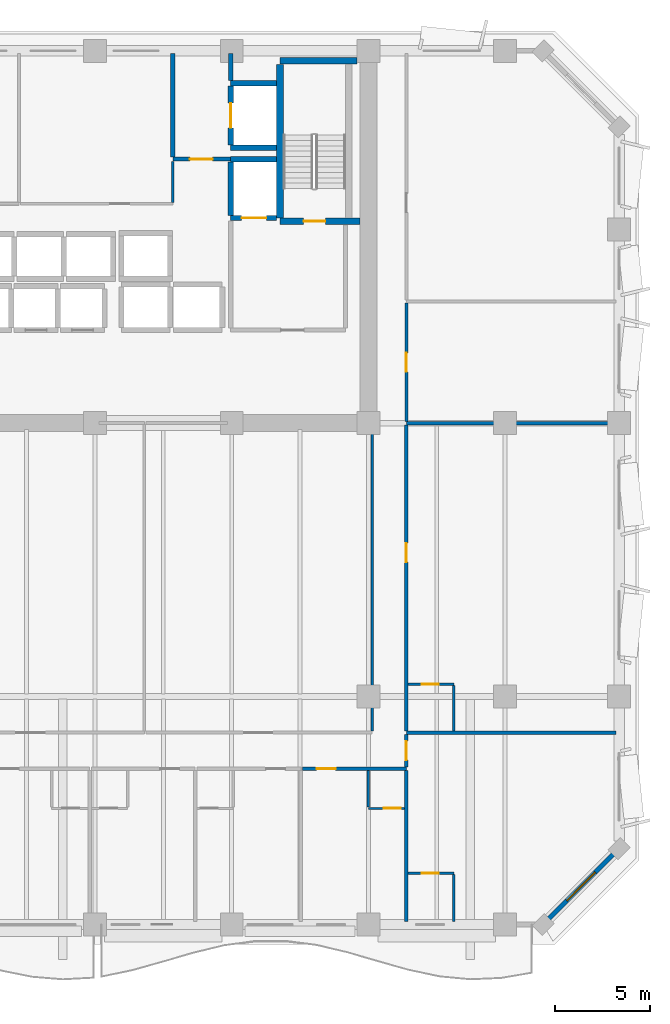
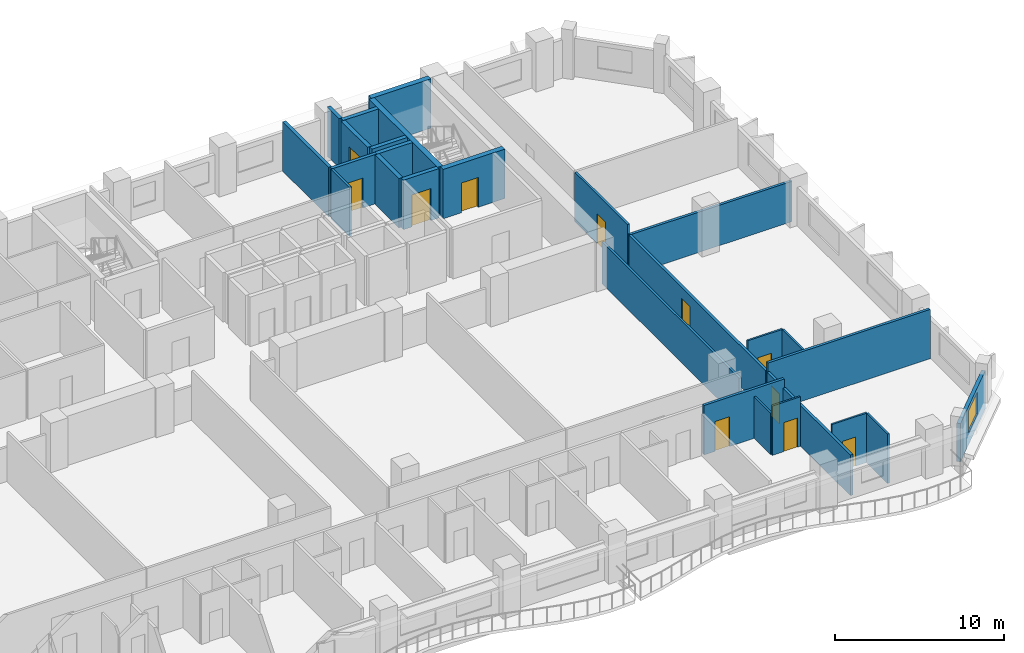
# One storey, part 9 of 15: 28 walls, 11 doors, 1 window, 12 openings.
"""IFC4 building model written with IfcOpenShell, lengths in metres."""

from ifc_helpers import new_model, si_unit, direction, frame, frame_2d, origin, place, context, subcontext, project, spatial, rectangle, extrude, material, layer, layer_set, type_object, element, fill, save


model = new_model("IFC4")

# Units and contexts
model_context = context("Model", 3, precision=1e-05, world=origin(), true_north=direction((0.0, 1.0)))
body_context = subcontext(model_context, "Body", "Model", "MODEL_VIEW")
ifc_project = project(units=[si_unit("LENGTHUNIT", "METRE"), si_unit("AREAUNIT", "SQUARE_METRE"), si_unit("VOLUMEUNIT", "CUBIC_METRE"), si_unit("PLANEANGLEUNIT", "RADIAN"), si_unit("MASSUNIT", "GRAM", prefix="KILO")], contexts=[model_context])

# Site, building, storey
site_placement = place(None, origin())
site = spatial("IfcSite", under=ifc_project, at=site_placement, CompositionType="ELEMENT")
building_placement = place(site_placement, origin())
building = spatial("IfcBuilding", under=site, at=building_placement, Name="Kaelvorn Grand Hotel", CompositionType="ELEMENT")
storey_placement = place(building_placement, frame((0.0, 0.0, 146.75)))
storey = spatial("IfcBuildingStorey", under=building, at=storey_placement, Name="L35", CompositionType="ELEMENT", Elevation=146.75)

# Wall, opening, window
ifc_material_1 = material(Name="Concrete C40/50", Category="concrete")
ifc_layer_1 = layer(ifc_material_1, 0.239990234375)
ifc_layer_set_1 = layer_set([ifc_layer_1], Name="Concrete C40/50")
wall_type_1 = type_object("IfcWallType", Name="WL-EXT-240-C40", PredefinedType="SOLIDWALL", material=ifc_layer_set_1)
wall_1_placement = place(storey_placement, frame((77.0, 3.0, 0.0), z_axis=(0.0, 0.0, 1.0), x_axis=(0.707106781187, 0.707106781187, 0.0)))
wall_1 = element("IfcWall", 1, at=wall_1_placement, inside=storey, type_object=wall_type_1, Name="L35 Exterior Architectural Concrete Wall 02", PredefinedType="SOLIDWALL", context=body_context, shape_type="SweptSolid", body=[
    extrude(rectangle(XDim=5.65673828125, YDim=0.239990234375, at=frame_2d((2.828369140625, 0.0))), origin(), (0.0, 0.0, 1.0), 2.760009765625),
])
opening_1_placement = place(wall_1_placement, frame((1.7783203125, 0.0, 0.85009765625)))
opening_1 = element("IfcOpeningElement", 2, at=opening_1_placement, cuts=wall_1, Name="Opening W7", PredefinedType="OPENING", context=body_context, shape_type="SweptSolid", body=[
    extrude(rectangle(XDim=2.10009765625, YDim=1.60009765625, at=frame_2d((1.050048828125, 0.800048828125))), frame((0.0, 0.1298828125, 0.0), z_axis=(0.0, -1.0, 0.0), x_axis=(1.0, 0.0, 0.0)), (0.0, 0.0, 1.0), 0.260009765625),
])
ifc_material_2 = material(Name="Laminated Low-E Glass", Category="glass")
window_type = type_object("IfcWindowType", Name="WIN-CHM-2100x1600", PartitioningType="SINGLE_PANEL", PredefinedType="WINDOW", material=ifc_material_2)
window_placement = place(opening_1_placement, origin())
window = element("IfcWindow", 3, at=window_placement, inside=storey, type_object=window_type, Name="L35 Chamfered 45-Degree Corner Window SE", OverallHeight=1.60009765625, OverallWidth=2.10009765625, PartitioningType="SINGLE_PANEL", PredefinedType="WINDOW", context=body_context, shape_type="SweptSolid", body=[
    extrude(rectangle(XDim=2.10009765625, YDim=1.60009765625, at=frame_2d((1.050048828125, 0.800048828125))), frame((0.0, 0.030029296875, 0.0), z_axis=(0.0, -1.0, 0.0), x_axis=(1.0, 0.0, 0.0)), (0.0, 0.0, 1.0), 0.06005859375),
])
fill(opening_1, window)

# Wall, opening, door
ifc_material_3 = material(Name="Moisture-Resistant Tile & Stud Board")
ifc_layer_2 = layer(ifc_material_3, 0.125)
ifc_layer_set_2 = layer_set([ifc_layer_2], Name="Moisture-Resistant Tile & Stud Board")
wall_type_2 = type_object("IfcWallType", Name="WL-PART-125-WET", PredefinedType="PARTITIONING", material=ifc_layer_set_2)
wall_2_placement = place(storey_placement, frame((67.800048828125, 9.110107421875, 0.0), z_axis=(0.0, 0.0, 1.0), x_axis=(1.0, 0.0, 0.0)))
wall_2 = element("IfcWall", 4, at=wall_2_placement, inside=storey, type_object=wall_type_2, Name="L35 En-suite Bathroom L35-10 S Partition", PredefinedType="PARTITIONING", context=body_context, shape_type="SweptSolid", body=[
    extrude(rectangle(XDim=1.905029296875, YDim=0.125, at=frame_2d((0.95263671875, 0.0))), origin(), (0.0, 0.0, 1.0), 3.56005859375),
])
opening_2_placement = place(wall_2_placement, frame((0.800048828125, 0.0, 0.0)))
opening_2 = element("IfcOpeningElement", 5, at=opening_2_placement, cuts=wall_2, Name="Opening DI4", PredefinedType="OPENING", context=body_context, shape_type="SweptSolid", body=[
    extrude(rectangle(XDim=0.89990234375, YDim=2.10009765625, at=frame_2d((0.449951171875, 1.050048828125))), frame((0.0, 0.072509765625, 0.0), z_axis=(0.0, -1.0, 0.0), x_axis=(1.0, 0.0, 0.0)), (0.0, 0.0, 1.0), 0.14501953125),
])
ifc_material_4 = material(Name="Timber Veneer Leaf", Category="wood")
door_type_1 = type_object("IfcDoorType", Name="DR-INT-BATH-900x2100", OperationType="NOTDEFINED", PredefinedType="DOOR", material=ifc_material_4)
door_1_placement = place(opening_2_placement, origin())
door_1 = element("IfcDoor", 6, at=door_1_placement, inside=storey, type_object=door_type_1, Name="L35 En-suite Bathroom L35-10 Door", OperationType="SINGLE_SWING_RIGHT", OverallHeight=2.10009765625, OverallWidth=0.89990234375, PredefinedType="DOOR", context=body_context, shape_type="SweptSolid", body=[
    extrude(rectangle(XDim=0.89990234375, YDim=2.10009765625, at=frame_2d((0.449951171875, 1.050048828125))), frame((0.0, 0.02490234375, 0.0), z_axis=(0.0, -1.0, 0.0), x_axis=(1.0, 0.0, 0.0)), (0.0, 0.0, 1.0), 0.050048828125),
])
fill(opening_2, door_1)

# Wall
wall_3_placement = place(storey_placement, frame((67.800048828125, 9.177490234375, 0.0), z_axis=(0.0, 0.0, 1.0), x_axis=(0.0, 1.0, 0.0)))
element("IfcWall", 7, at=wall_3_placement, inside=storey, type_object=wall_type_2, Name="L35 En-suite Bathroom L35-10 W Partition", PredefinedType="PARTITIONING", context=body_context, shape_type="SweptSolid", body=[
    extrude(rectangle(XDim=1.927490234375, YDim=0.125, at=frame_2d((0.9638671875, 0.0))), origin(), (0.0, 0.0, 1.0), 3.010009765625),
])

# Wall, opening, door
wall_4_placement = place(storey_placement, frame((69.89501953125, 5.699951171875, 0.0), z_axis=(0.0, 0.0, 1.0), x_axis=(1.0, 0.0, 0.0)))
wall_4 = element("IfcWall", 8, at=wall_4_placement, inside=storey, type_object=wall_type_2, Name="L35 En-suite Bathroom L35-13 N Partition", PredefinedType="PARTITIONING", context=body_context, shape_type="SweptSolid", body=[
    extrude(rectangle(XDim=2.405029296875, YDim=0.125, at=frame_2d((1.20263671875, 0.0))), origin(), (0.0, 0.0, 1.0), 3.56005859375),
])
opening_3_placement = place(wall_4_placement, frame((0.705078125, 0.0, 0.0)))
opening_3 = element("IfcOpeningElement", 9, at=opening_3_placement, cuts=wall_4, Name="Opening DI4", PredefinedType="OPENING", context=body_context, shape_type="SweptSolid", body=[
    extrude(rectangle(XDim=0.89990234375, YDim=2.10009765625, at=frame_2d((0.449951171875, 1.050048828125))), frame((0.0, 0.072509765625, 0.0), z_axis=(0.0, -1.0, 0.0), x_axis=(1.0, 0.0, 0.0)), (0.0, 0.0, 1.0), 0.14501953125),
])
door_2_placement = place(opening_3_placement, origin())
door_2 = element("IfcDoor", 10, at=door_2_placement, inside=storey, type_object=door_type_1, Name="L35 En-suite Bathroom L35-13 Door", OperationType="SINGLE_SWING_RIGHT", OverallHeight=2.10009765625, OverallWidth=0.89990234375, PredefinedType="DOOR", context=body_context, shape_type="SweptSolid", body=[
    extrude(rectangle(XDim=0.89990234375, YDim=2.10009765625, at=frame_2d((0.449951171875, 1.050048828125))), frame((0.0, 0.02490234375, 0.0), z_axis=(0.0, -1.0, 0.0), x_axis=(1.0, 0.0, 0.0)), (0.0, 0.0, 1.0), 0.050048828125),
])
fill(opening_3, door_2)

# Wall
wall_5_placement = place(storey_placement, frame((72.300048828125, 3.14990234375, 0.0), z_axis=(0.0, 0.0, 1.0), x_axis=(0.0, 1.0, 0.0)))
element("IfcWall", 11, at=wall_5_placement, inside=storey, type_object=wall_type_2, Name="L35 En-suite Bathroom L35-13 E Partition", PredefinedType="PARTITIONING", context=body_context, shape_type="SweptSolid", body=[
    extrude(rectangle(XDim=2.482666015625, YDim=0.125, at=frame_2d((1.2412109375, 0.0))), origin(), (0.0, 0.0, 1.0), 3.56005859375),
])

# Wall, opening, door
wall_6_placement = place(storey_placement, frame((69.89501953125, 15.64990234375, 0.0), z_axis=(0.0, 0.0, 1.0), x_axis=(1.0, 0.0, 0.0)))
wall_6 = element("IfcWall", 12, at=wall_6_placement, inside=storey, type_object=wall_type_2, Name="L35 En-suite Bathroom L35-14 N Partition", PredefinedType="PARTITIONING", context=body_context, shape_type="SweptSolid", body=[
    extrude(rectangle(XDim=2.405029296875, YDim=0.125, at=frame_2d((1.20263671875, 0.0))), origin(), (0.0, 0.0, 1.0), 3.56005859375),
])
opening_4_placement = place(wall_6_placement, frame((0.705078125, 0.0, 0.0)))
opening_4 = element("IfcOpeningElement", 13, at=opening_4_placement, cuts=wall_6, Name="Opening DI4", PredefinedType="OPENING", context=body_context, shape_type="SweptSolid", body=[
    extrude(rectangle(XDim=0.89990234375, YDim=2.10009765625, at=frame_2d((0.449951171875, 1.050048828125))), frame((0.0, 0.072509765625, 0.0), z_axis=(0.0, -1.0, 0.0), x_axis=(1.0, 0.0, 0.0)), (0.0, 0.0, 1.0), 0.14501953125),
])
door_3_placement = place(opening_4_placement, origin())
door_3 = element("IfcDoor", 14, at=door_3_placement, inside=storey, type_object=door_type_1, Name="L35 En-suite Bathroom L35-14 Door", OperationType="SINGLE_SWING_RIGHT", OverallHeight=2.10009765625, OverallWidth=0.89990234375, PredefinedType="DOOR", context=body_context, shape_type="SweptSolid", body=[
    extrude(rectangle(XDim=0.89990234375, YDim=2.10009765625, at=frame_2d((0.449951171875, 1.050048828125))), frame((0.0, 0.02490234375, 0.0), z_axis=(0.0, -1.0, 0.0), x_axis=(1.0, 0.0, 0.0)), (0.0, 0.0, 1.0), 0.050048828125),
])
fill(opening_4, door_3)

# Walls
wall_7_placement = place(storey_placement, frame((72.300048828125, 13.195068359375, 0.0), z_axis=(0.0, 0.0, 1.0), x_axis=(0.0, 1.0, 0.0)))
element("IfcWall", 15, at=wall_7_placement, inside=storey, type_object=wall_type_2, Name="L35 En-suite Bathroom L35-14 E Partition", PredefinedType="PARTITIONING", context=body_context, shape_type="SweptSolid", body=[
    extrude(rectangle(XDim=2.387451171875, YDim=0.125, at=frame_2d((1.19384765625, 0.0))), origin(), (0.0, 0.0, 1.0), 3.56005859375),
])
ifc_material_5 = material(Name="Acoustic Gypsum & Stud Partition")
ifc_layer_3 = layer(ifc_material_5, 0.14990234375)
ifc_layer_set_3 = layer_set([ifc_layer_3], Name="Acoustic Gypsum & Stud Partition")
wall_type_3 = type_object("IfcWallType", Name="WL-PART-150-EI60", PredefinedType="PARTITIONING", material=ifc_layer_set_3)
wall_8_placement = place(storey_placement, frame((57.5, 41.030029296875, 0.0), z_axis=(0.0, 0.0, 1.0), x_axis=(0.0, 1.0, 0.0)))
element("IfcWall", 16, at=wall_8_placement, inside=storey, type_object=wall_type_3, Name="L35 Butler Servery Pantry E Partition", PredefinedType="PARTITIONING", context=body_context, shape_type="SweptSolid", body=[
    extrude(rectangle(XDim=2.155029296875, YDim=0.14990234375, at=frame_2d((1.07763671875, 0.0))), origin(), (0.0, 0.0, 1.0), 3.56005859375),
])
wall_9_placement = place(storey_placement, frame((68.0, 13.179931640625, 0.0), z_axis=(0.0, 0.0, 1.0), x_axis=(0.0, 1.0, 0.0)))
element("IfcWall", 17, at=wall_9_placement, inside=storey, type_object=wall_type_3, Name="L35 Wellness Fitness Gym E Partition", PredefinedType="PARTITIONING", context=body_context, shape_type="SweptSolid", body=[
    extrude(rectangle(XDim=16.2099609375, YDim=0.14990234375, at=frame_2d((8.10498046875, 0.0))), origin(), (0.0, 0.0, 1.0), 3.010009765625),
])

# Wall, opening, door
wall_10_placement = place(storey_placement, frame((69.800048828125, 29.4951171875, 0.0), z_axis=(0.0, 0.0, 1.0), x_axis=(0.0, 1.0, 0.0)))
wall_10 = element("IfcWall", 18, at=wall_10_placement, inside=storey, type_object=wall_type_3, Name="L35 North-East Wellness Fitness Gym W Partition", PredefinedType="PARTITIONING", context=body_context, shape_type="SweptSolid", body=[
    extrude(rectangle(XDim=6.224853515625, YDim=0.14990234375, at=frame_2d((3.1123046875, 0.0))), origin(), (0.0, 0.0, 1.0), 3.56005859375),
])
opening_5_placement = place(wall_10_placement, frame((2.60498046875, 0.0, 0.0)))
opening_5 = element("IfcOpeningElement", 19, at=opening_5_placement, cuts=wall_10, Name="Opening DI3", PredefinedType="OPENING", context=body_context, shape_type="SweptSolid", body=[
    extrude(rectangle(XDim=1.0, YDim=2.14990234375, at=frame_2d((0.5, 1.074951171875))), frame((0.0, 0.0849609375, 0.0), z_axis=(0.0, -1.0, 0.0), x_axis=(1.0, 0.0, 0.0)), (0.0, 0.0, 1.0), 0.169921875),
])
ifc_material_6 = material(Name="Timber Veneer Fire Leaf", Category="wood")
door_type_2 = type_object("IfcDoorType", Name="DR-INT-GUEST-1000x2150", OperationType="NOTDEFINED", PredefinedType="DOOR", material=ifc_material_6)
door_4_placement = place(opening_5_placement, origin())
door_4 = element("IfcDoor", 20, at=door_4_placement, inside=storey, type_object=door_type_2, Name="L35 North-East Wellness Fitness Gym Door", OperationType="SINGLE_SWING_LEFT", OverallHeight=2.14990234375, OverallWidth=1.0, PredefinedType="DOOR", context=body_context, shape_type="SweptSolid", body=[
    extrude(rectangle(XDim=1.0, YDim=2.14990234375, at=frame_2d((0.5, 1.074951171875))), frame((0.0, 0.02490234375, 0.0), z_axis=(0.0, -1.0, 0.0), x_axis=(1.0, 0.0, 0.0)), (0.0, 0.0, 1.0), 0.050048828125),
])
fill(opening_5, door_4)

ifc_layer_4 = layer(ifc_material_5, 0.179931640625)
ifc_layer_set_4 = layer_set([ifc_layer_4], Name="Acoustic Gypsum & Stud Partition")
wall_type_4 = type_object("IfcWallType", Name="WL-PART-180-EI60", PredefinedType="PARTITIONING", material=ifc_layer_set_4)
wall_11_placement = place(storey_placement, frame((64.3349609375, 11.199951171875, 0.0), z_axis=(0.0, 0.0, 1.0), x_axis=(1.0, 0.0, 0.0)))
wall_11 = element("IfcWall", 21, at=wall_11_placement, inside=storey, type_object=wall_type_4, Name="L35 Superior King Guest Room L35-10 N Partition", PredefinedType="PARTITIONING", context=body_context, shape_type="SweptSolid", body=[
    extrude(rectangle(XDim=5.465087890625, YDim=0.179931640625, at=frame_2d((2.732421875, 0.0))), origin(), (0.0, 0.0, 1.0), 3.56005859375),
])
opening_6_placement = place(wall_11_placement, frame((0.735107421875, 0.0, 0.0)))
opening_6 = element("IfcOpeningElement", 22, at=opening_6_placement, cuts=wall_11, Name="Opening DI3", PredefinedType="OPENING", context=body_context, shape_type="SweptSolid", body=[
    extrude(rectangle(XDim=1.0, YDim=2.14990234375, at=frame_2d((0.5, 1.074951171875))), frame((0.0, 0.10009765625, 0.0), z_axis=(0.0, -1.0, 0.0), x_axis=(1.0, 0.0, 0.0)), (0.0, 0.0, 1.0), 0.199951171875),
])
door_5_placement = place(opening_6_placement, origin())
door_5 = element("IfcDoor", 23, at=door_5_placement, inside=storey, type_object=door_type_2, Name="L35 Superior King Guest Room L35-10 Door", OperationType="SINGLE_SWING_LEFT", OverallHeight=2.14990234375, OverallWidth=1.0, PredefinedType="DOOR", context=body_context, shape_type="SweptSolid", body=[
    extrude(rectangle(XDim=1.0, YDim=2.14990234375, at=frame_2d((0.5, 1.074951171875))), frame((0.0, 0.02490234375, 0.0), z_axis=(0.0, -1.0, 0.0), x_axis=(1.0, 0.0, 0.0)), (0.0, 0.0, 1.0), 0.050048828125),
])
fill(opening_6, door_5)

# Walls
wall_12_placement = place(storey_placement, frame((69.800048828125, 3.14990234375, 0.0), z_axis=(0.0, 0.0, 1.0), x_axis=(0.0, 1.0, 0.0)))
element("IfcWall", 24, at=wall_12_placement, inside=storey, type_object=wall_type_4, Name="L35 Superior King Guest Room L35-10 E Partition", PredefinedType="PARTITIONING", context=body_context, shape_type="SweptSolid", body=[
    extrude(rectangle(XDim=7.955078125, YDim=0.179931640625, at=frame_2d((3.9775390625, 0.0))), origin(), (0.0, 0.0, 1.0), 2.929931640625),
])
wall_13_placement = place(storey_placement, frame((69.800048828125, 13.10009765625, 0.0), z_axis=(0.0, 0.0, 1.0), x_axis=(1.0, 0.0, 0.0)))
element("IfcWall", 25, at=wall_13_placement, inside=storey, type_object=wall_type_4, Name="L35 South-East Chamfer Suite L35-13 N Partition", PredefinedType="PARTITIONING", context=body_context, shape_type="SweptSolid", body=[
    extrude(rectangle(XDim=11.050048828125, YDim=0.179931640625, at=frame_2d((5.52490234375, 0.0))), origin(), (0.0, 0.0, 1.0), 3.56005859375),
])

# Wall, opening, door
wall_14_placement = place(storey_placement, frame((69.800048828125, 11.294921875, 0.0), z_axis=(0.0, 0.0, 1.0), x_axis=(0.0, 1.0, 0.0)))
wall_14 = element("IfcWall", 26, at=wall_14_placement, inside=storey, type_object=wall_type_4, Name="L35 South-East Chamfer Suite L35-13 W Partition", PredefinedType="PARTITIONING", context=body_context, shape_type="SweptSolid", body=[
    extrude(rectangle(XDim=1.7099609375, YDim=0.179931640625, at=frame_2d((0.85498046875, 0.0))), origin(), (0.0, 0.0, 1.0), 2.929931640625),
])
opening_7_placement = place(wall_14_placement, frame((0.35498046875, 0.0, 0.0)))
opening_7 = element("IfcOpeningElement", 27, at=opening_7_placement, cuts=wall_14, Name="Opening DI3", PredefinedType="OPENING", context=body_context, shape_type="SweptSolid", body=[
    extrude(rectangle(XDim=1.0, YDim=2.14990234375, at=frame_2d((0.5, 1.074951171875))), frame((0.0, 0.10009765625, 0.0), z_axis=(0.0, -1.0, 0.0), x_axis=(1.0, 0.0, 0.0)), (0.0, 0.0, 1.0), 0.199951171875),
])
door_6_placement = place(opening_7_placement, origin())
door_6 = element("IfcDoor", 28, at=door_6_placement, inside=storey, type_object=door_type_2, Name="L35 South-East Chamfer Suite L35-13 Door", OperationType="SINGLE_SWING_LEFT", OverallHeight=2.14990234375, OverallWidth=1.0, PredefinedType="DOOR", context=body_context, shape_type="SweptSolid", body=[
    extrude(rectangle(XDim=1.0, YDim=2.14990234375, at=frame_2d((0.5, 1.074951171875))), frame((0.0, 0.02490234375, 0.0), z_axis=(0.0, -1.0, 0.0), x_axis=(1.0, 0.0, 0.0)), (0.0, 0.0, 1.0), 0.050048828125),
])
fill(opening_7, door_6)

# Wall
wall_15_placement = place(storey_placement, frame((69.800048828125, 29.39990234375, 0.0), z_axis=(0.0, 0.0, 1.0), x_axis=(1.0, 0.0, 0.0)))
element("IfcWall", 29, at=wall_15_placement, inside=storey, type_object=wall_type_4, Name="L35 East End Panoramic Suite L35-14 N Partition", PredefinedType="PARTITIONING", context=body_context, shape_type="SweptSolid", body=[
    extrude(rectangle(XDim=11.050048828125, YDim=0.179931640625, at=frame_2d((5.52490234375, 0.0))), origin(), (0.0, 0.0, 1.0), 2.909912109375),
])

# Wall, opening, door
wall_16_placement = place(storey_placement, frame((69.800048828125, 13.195068359375, 0.0), z_axis=(0.0, 0.0, 1.0), x_axis=(0.0, 1.0, 0.0)))
wall_16 = element("IfcWall", 30, at=wall_16_placement, inside=storey, type_object=wall_type_4, Name="L35 East End Panoramic Suite L35-14 W Partition", PredefinedType="PARTITIONING", context=body_context, shape_type="SweptSolid", body=[
    extrude(rectangle(XDim=16.10986328125, YDim=0.179931640625, at=frame_2d((8.054931640625, 0.0))), origin(), (0.0, 0.0, 1.0), 2.929931640625),
])
opening_8_placement = place(wall_16_placement, frame((8.889892578125, 0.0, 0.0)))
opening_8 = element("IfcOpeningElement", 31, at=opening_8_placement, cuts=wall_16, Name="Opening DI3", PredefinedType="OPENING", context=body_context, shape_type="SweptSolid", body=[
    extrude(rectangle(XDim=1.0, YDim=2.14990234375, at=frame_2d((0.5, 1.074951171875))), frame((0.0, 0.10009765625, 0.0), z_axis=(0.0, -1.0, 0.0), x_axis=(1.0, 0.0, 0.0)), (0.0, 0.0, 1.0), 0.199951171875),
])
door_7_placement = place(opening_8_placement, origin())
door_7 = element("IfcDoor", 32, at=door_7_placement, inside=storey, type_object=door_type_2, Name="L35 East End Panoramic Suite L35-14 Door", OperationType="SINGLE_SWING_LEFT", OverallHeight=2.14990234375, OverallWidth=1.0, PredefinedType="DOOR", context=body_context, shape_type="SweptSolid", body=[
    extrude(rectangle(XDim=1.0, YDim=2.14990234375, at=frame_2d((0.5, 1.074951171875))), frame((0.0, 0.02490234375, 0.0), z_axis=(0.0, -1.0, 0.0), x_axis=(1.0, 0.0, 0.0)), (0.0, 0.0, 1.0), 0.050048828125),
])
fill(opening_8, door_7)

ifc_layer_5 = layer(ifc_material_1, 0.219970703125)
ifc_layer_set_5 = layer_set([ifc_layer_5], Name="Concrete C40/50")
wall_type_5 = type_object("IfcWallType", Name="WL-PART-220-EI120", PredefinedType="PARTITIONING", material=ifc_layer_set_5)
wall_17_placement = place(storey_placement, frame((57.5, 43.300048828125, 0.0), z_axis=(0.0, 0.0, 1.0), x_axis=(1.0, 0.0, 0.0)))
wall_17 = element("IfcWall", 33, at=wall_17_placement, inside=storey, type_object=wall_type_5, Name="L35 Service Lift Lobby S Partition", PredefinedType="PARTITIONING", context=body_context, shape_type="SweptSolid", body=[
    extrude(rectangle(XDim=3.0400390625, YDim=0.219970703125, at=frame_2d((1.52001953125, 0.0))), origin(), (0.0, 0.0, 1.0), 3.56005859375),
])
opening_9_placement = place(wall_17_placement, frame((0.89990234375, 0.0, 0.0)))
opening_9 = element("IfcOpeningElement", 34, at=opening_9_placement, cuts=wall_17, Name="Opening DI2", PredefinedType="OPENING", context=body_context, shape_type="SweptSolid", body=[
    extrude(rectangle(XDim=1.199951171875, YDim=2.14990234375, at=frame_2d((0.60009765625, 1.074951171875))), frame((0.0, 0.1201171875, 0.0), z_axis=(0.0, -1.0, 0.0), x_axis=(1.0, 0.0, 0.0)), (0.0, 0.0, 1.0), 0.239990234375),
])
door_type_3 = type_object("IfcDoorType", Name="DR-INT-FFLOB-1200x2150", OperationType="NOTDEFINED", PredefinedType="DOOR", material=ifc_material_6)
door_8_placement = place(opening_9_placement, origin())
door_8 = element("IfcDoor", 35, at=door_8_placement, inside=storey, type_object=door_type_3, Name="L35 Service Lift Lobby Door", OperationType="SINGLE_SWING_LEFT", OverallHeight=2.14990234375, OverallWidth=1.199951171875, PredefinedType="DOOR", context=body_context, shape_type="SweptSolid", body=[
    extrude(rectangle(XDim=1.199951171875, YDim=2.14990234375, at=frame_2d((0.60009765625, 1.074951171875))), frame((0.0, 0.02490234375, 0.0), z_axis=(0.0, -1.0, 0.0), x_axis=(1.0, 0.0, 0.0)), (0.0, 0.0, 1.0), 0.050048828125),
])
fill(opening_9, door_8)

# Walls
wall_18_placement = place(storey_placement, frame((57.5, 43.4150390625, 0.0), z_axis=(0.0, 0.0, 1.0), x_axis=(0.0, 1.0, 0.0)))
element("IfcWall", 36, at=wall_18_placement, inside=storey, type_object=wall_type_5, Name="L35 Service Lift Lobby W Partition", PredefinedType="PARTITIONING", context=body_context, shape_type="SweptSolid", body=[
    extrude(rectangle(XDim=5.43505859375, YDim=0.219970703125, at=frame_2d((2.717529296875, 0.0))), origin(), (0.0, 0.0, 1.0), 3.56005859375),
])
wall_19_placement = place(storey_placement, frame((60.550048828125, 47.445068359375, 0.0), z_axis=(0.0, 0.0, 1.0), x_axis=(0.0, 1.0, 0.0)))
element("IfcWall", 37, at=wall_19_placement, inside=storey, type_object=wall_type_5, Name="L35 Service Lift Lobby E Partition", PredefinedType="PARTITIONING", context=body_context, shape_type="SweptSolid", body=[
    extrude(rectangle(XDim=1.405029296875, YDim=0.219970703125, at=frame_2d((0.70263671875, 0.0))), origin(), (0.0, 0.0, 1.0), 3.56005859375),
])

# Wall, opening, door
ifc_material_7 = material(Name="Concrete C50/60", Category="concrete")
ifc_layer_6 = layer(ifc_material_7, 0.280029296875)
ifc_layer_set_6 = layer_set([ifc_layer_6], Name="Concrete C50/60")
wall_type_6 = type_object("IfcWallType", Name="WL-SHAFT-280-C50", PredefinedType="SHEAR", material=ifc_layer_set_6)
wall_20_placement = place(storey_placement, frame((60.550048828125, 40.199951171875, 0.0), z_axis=(0.0, 0.0, 1.0), x_axis=(1.0, 0.0, 0.0)))
wall_20 = element("IfcWall", 38, at=wall_20_placement, inside=storey, type_object=wall_type_6, Name="L35 Lift FFL2 Shaft South Wall", PredefinedType="SHEAR", context=body_context, shape_type="SweptSolid", body=[
    extrude(rectangle(XDim=2.4150390625, YDim=0.280029296875, at=frame_2d((1.20751953125, 0.0))), origin(), (0.0, 0.0, 1.0), 3.56005859375),
])
opening_10_placement = place(wall_20_placement, frame((0.574951171875, 0.0, 0.0)))
opening_10 = element("IfcOpeningElement", 39, at=opening_10_placement, cuts=wall_20, Name="Opening LD-FFL2", PredefinedType="OPENING", context=body_context, shape_type="SweptSolid", body=[
    extrude(rectangle(XDim=1.300048828125, YDim=2.300048828125, at=frame_2d((0.64990234375, 1.14990234375))), frame((0.0, 0.14990234375, 0.0), z_axis=(0.0, -1.0, 0.0), x_axis=(1.0, 0.0, 0.0)), (0.0, 0.0, 1.0), 0.300048828125),
])
ifc_material_8 = material(Name="Stainless Steel", Category="steel")
door_type_4 = type_object("IfcDoorType", Name="DR-LIFT-SERV-1300x2300", OperationType="DOUBLE_DOOR_SLIDING", PredefinedType="DOOR", material=ifc_material_8)
door_9_placement = place(opening_10_placement, origin())
door_9 = element("IfcDoor", 40, at=door_9_placement, inside=storey, type_object=door_type_4, Name="L35 Lift FFL2 Sliding Landing Door LD-FFL2", OperationType="DOUBLE_DOOR_SLIDING", OverallHeight=2.300048828125, OverallWidth=1.300048828125, PredefinedType="DOOR", context=body_context, shape_type="SweptSolid", body=[
    extrude(rectangle(XDim=1.300048828125, YDim=2.300048828125, at=frame_2d((0.64990234375, 1.14990234375))), frame((0.0, 0.02490234375, 0.0), z_axis=(0.0, -1.0, 0.0), x_axis=(1.0, 0.0, 0.0)), (0.0, 0.0, 1.0), 0.050048828125),
])
fill(opening_10, door_9)

# Walls
wall_21_placement = place(storey_placement, frame((60.550048828125, 43.300048828125, 0.0), z_axis=(0.0, 0.0, 1.0), x_axis=(1.0, 0.0, 0.0)))
element("IfcWall", 41, at=wall_21_placement, inside=storey, type_object=wall_type_6, Name="L35 Lift FFL2 Shaft North Wall", PredefinedType="SHEAR", context=body_context, shape_type="SweptSolid", body=[
    extrude(rectangle(XDim=2.4150390625, YDim=0.280029296875, at=frame_2d((1.20751953125, 0.0))), origin(), (0.0, 0.0, 1.0), 3.56005859375),
])
wall_22_placement = place(storey_placement, frame((60.550048828125, 40.344970703125, 0.0), z_axis=(0.0, 0.0, 1.0), x_axis=(0.0, 1.0, 0.0)))
element("IfcWall", 42, at=wall_22_placement, inside=storey, type_object=wall_type_6, Name="L35 Lift FFL2 Shaft West Wall", PredefinedType="SHEAR", context=body_context, shape_type="SweptSolid", body=[
    extrude(rectangle(XDim=2.81005859375, YDim=0.280029296875, at=frame_2d((1.405029296875, 0.0))), origin(), (0.0, 0.0, 1.0), 3.56005859375),
])
for number, where, z_axis, x_axis, name in (
    (43, (60.550048828125, 43.89990234375, 0.0), (0.0, 0.0, 1.0), (1.0, 0.0, 0.0), "L35 Lift SV1 Shaft South Wall"),
    (44, (60.550048828125, 47.300048828125, 0.0), (0.0, 0.0, 1.0), (1.0, 0.0, 0.0), "L35 Lift SV1 Shaft North Wall"),
):
    element("IfcWall", number, at=place(storey_placement, frame(where, z_axis=z_axis, x_axis=x_axis)), inside=storey, type_object=wall_type_6, Name=name, PredefinedType="SHEAR", context=body_context, shape_type="SweptSolid", body=[
        extrude(rectangle(XDim=2.4150390625, YDim=0.280029296875, at=frame_2d((1.20751953125, 0.0))), origin(), (0.0, 0.0, 1.0), 3.56005859375),
    ])

# Wall, opening, door
wall_23_placement = place(storey_placement, frame((60.550048828125, 44.044921875, 0.0), z_axis=(0.0, 0.0, 1.0), x_axis=(0.0, 1.0, 0.0)))
wall_23 = element("IfcWall", 45, at=wall_23_placement, inside=storey, type_object=wall_type_6, Name="L35 Lift SV1 Shaft West Wall", PredefinedType="SHEAR", context=body_context, shape_type="SweptSolid", body=[
    extrude(rectangle(XDim=3.110107421875, YDim=0.280029296875, at=frame_2d((1.55517578125, 0.0))), origin(), (0.0, 0.0, 1.0), 3.56005859375),
])
opening_11_placement = place(wall_23_placement, frame((0.905029296875, 0.0, 0.0)))
opening_11 = element("IfcOpeningElement", 46, at=opening_11_placement, cuts=wall_23, Name="Opening LD-SV1", PredefinedType="OPENING", context=body_context, shape_type="SweptSolid", body=[
    extrude(rectangle(XDim=1.300048828125, YDim=2.300048828125, at=frame_2d((0.64990234375, 1.14990234375))), frame((0.0, 0.14990234375, 0.0), z_axis=(0.0, -1.0, 0.0), x_axis=(1.0, 0.0, 0.0)), (0.0, 0.0, 1.0), 0.300048828125),
])
door_10_placement = place(opening_11_placement, origin())
door_10 = element("IfcDoor", 47, at=door_10_placement, inside=storey, type_object=door_type_4, Name="L35 Lift SV1 Sliding Landing Door LD-SV1", OperationType="DOUBLE_DOOR_SLIDING", OverallHeight=2.300048828125, OverallWidth=1.300048828125, PredefinedType="DOOR", context=body_context, shape_type="SweptSolid", body=[
    extrude(rectangle(XDim=1.300048828125, YDim=2.300048828125, at=frame_2d((0.64990234375, 1.14990234375))), frame((0.0, 0.02490234375, 0.0), z_axis=(0.0, -1.0, 0.0), x_axis=(1.0, 0.0, 0.0)), (0.0, 0.0, 1.0), 0.050048828125),
])
fill(opening_11, door_10)

ifc_material_9 = material(Name="Concrete C60/75", Category="concrete")
ifc_layer_7 = layer(ifc_material_9, 0.35009765625)
ifc_layer_set_7 = layer_set([ifc_layer_7], Name="Concrete C60/75")
wall_type_7 = type_object("IfcWallType", Name="WL-SHAFT-350-C60", PredefinedType="SHEAR", material=ifc_layer_set_7)
wall_24_placement = place(storey_placement, frame((63.14501953125, 40.02490234375, 0.0), z_axis=(0.0, 0.0, 1.0), x_axis=(1.0, 0.0, 0.0)))
wall_24 = element("IfcWall", 48, at=wall_24_placement, inside=storey, type_object=wall_type_7, Name="L35 ST3 Stair Shaft South Wall", PredefinedType="SHEAR", context=body_context, shape_type="SweptSolid", body=[
    extrude(rectangle(XDim=4.199951171875, YDim=0.35009765625, at=frame_2d((2.10009765625, 0.0))), origin(), (0.0, 0.0, 1.0), 3.56005859375),
])
opening_12_placement = place(wall_24_placement, frame((1.239990234375, 0.0, 0.0)))
opening_12 = element("IfcOpeningElement", 49, at=opening_12_placement, cuts=wall_24, Name="Opening DI1", PredefinedType="OPENING", context=body_context, shape_type="SweptSolid", body=[
    extrude(rectangle(XDim=1.14990234375, YDim=2.14990234375, at=frame_2d((0.574951171875, 1.074951171875))), frame((0.0, 0.18505859375, 0.0), z_axis=(0.0, -1.0, 0.0), x_axis=(1.0, 0.0, 0.0)), (0.0, 0.0, 1.0), 0.3701171875),
])
door_type_5 = type_object("IfcDoorType", Name="DR-INT-STAIR-1150x2150", OperationType="NOTDEFINED", PredefinedType="DOOR", material=ifc_material_6)
door_11_placement = place(opening_12_placement, origin())
door_11 = element("IfcDoor", 50, at=door_11_placement, inside=storey, type_object=door_type_5, Name="L35 ST3 Exit Stair Fire Door", OperationType="SINGLE_SWING_LEFT", OverallHeight=2.14990234375, OverallWidth=1.14990234375, PredefinedType="DOOR", context=body_context, shape_type="SweptSolid", body=[
    extrude(rectangle(XDim=1.14990234375, YDim=2.14990234375, at=frame_2d((0.574951171875, 1.074951171875))), frame((0.0, 0.02490234375, 0.0), z_axis=(0.0, -1.0, 0.0), x_axis=(1.0, 0.0, 0.0)), (0.0, 0.0, 1.0), 0.050048828125),
])
fill(opening_12, door_11)

# Walls
wall_25_placement = place(storey_placement, frame((63.14501953125, 48.47509765625, 0.0), z_axis=(0.0, 0.0, 1.0), x_axis=(1.0, 0.0, 0.0)))
element("IfcWall", 51, at=wall_25_placement, inside=storey, type_object=wall_type_7, Name="L35 ST3 Stair Shaft North Wall", PredefinedType="SHEAR", context=body_context, shape_type="SweptSolid", body=[
    extrude(rectangle(XDim=4.050048828125, YDim=0.35009765625, at=frame_2d((2.02490234375, 0.0))), origin(), (0.0, 0.0, 1.0), 3.56005859375),
])
wall_26_placement = place(storey_placement, frame((63.14501953125, 40.205078125, 0.0), z_axis=(0.0, 0.0, 1.0), x_axis=(0.0, 1.0, 0.0)))
element("IfcWall", 52, at=wall_26_placement, inside=storey, type_object=wall_type_7, Name="L35 ST3 Stair Shaft West Wall", PredefinedType="SHEAR", context=body_context, shape_type="SweptSolid", body=[
    extrude(rectangle(XDim=8.08984375, YDim=0.35009765625, at=frame_2d((4.044921875, 0.0))), origin(), (0.0, 0.0, 1.0), 3.56005859375),
])

save(model, "model.ifc")
